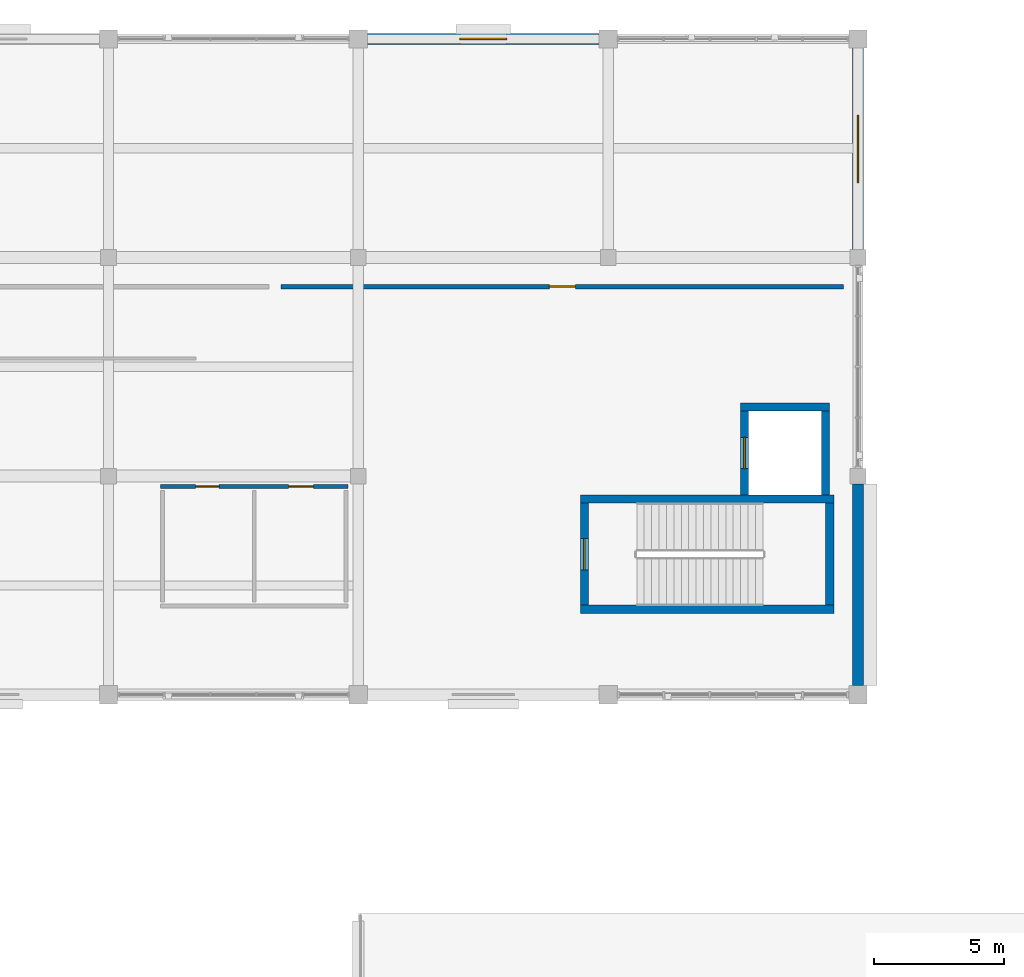
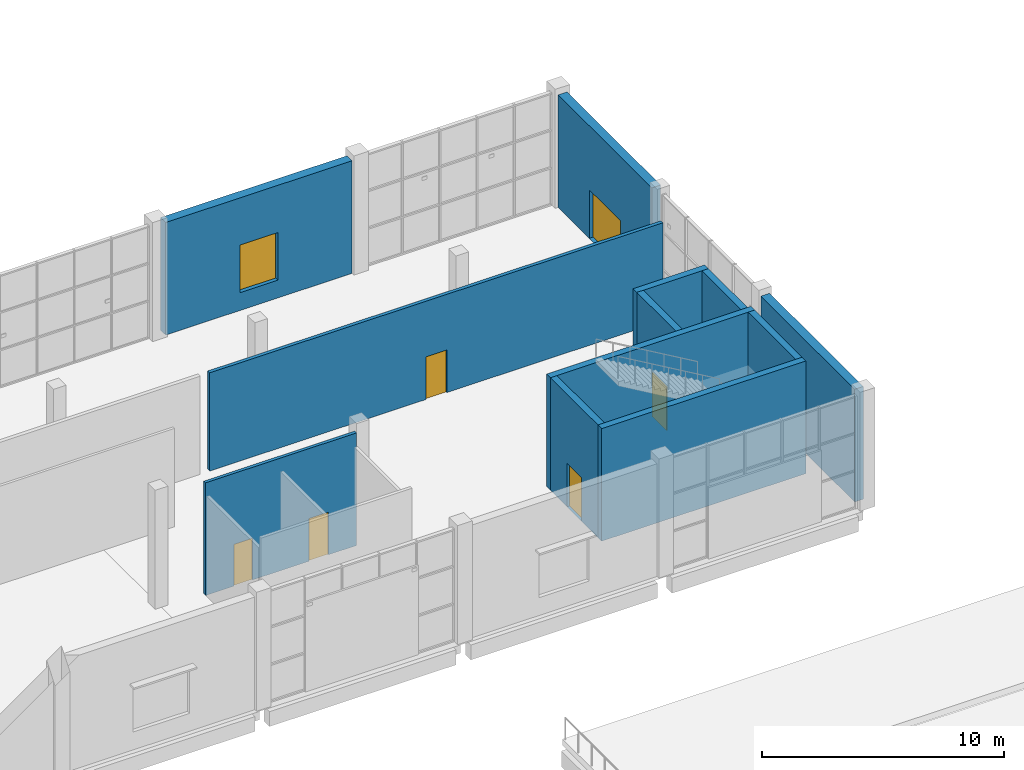
# One storey, part 58 of 84: 12 walls, 6 doors, 1 window, 7 openings.
"""IFC4 building model written with IfcOpenShell, lengths in metres."""

from ifc_helpers import new_model, si_unit, direction, frame, frame_2d, origin, place, context, subcontext, project, spatial, rectangle, extrude, material, layer, layer_set, type_object, element, fill, save


model = new_model("IFC4")

# Units and contexts
model_context = context("Model", 3, precision=1e-05, world=origin(), true_north=direction((0.0, 1.0)))
body_context = subcontext(model_context, "Body", "Model", "MODEL_VIEW")
ifc_project = project(units=[si_unit("LENGTHUNIT", "METRE"), si_unit("AREAUNIT", "SQUARE_METRE"), si_unit("VOLUMEUNIT", "CUBIC_METRE"), si_unit("PLANEANGLEUNIT", "RADIAN"), si_unit("MASSUNIT", "GRAM", prefix="KILO")], contexts=[model_context])

# Site, building, storey
site_placement = place(None, origin())
site = spatial("IfcSite", under=ifc_project, at=site_placement, CompositionType="ELEMENT")
building_placement = place(site_placement, origin())
building = spatial("IfcBuilding", under=site, at=building_placement, Name="Shalvenor Court Art Gallery", CompositionType="ELEMENT")
storey_placement = place(building_placement, origin())
storey = spatial("IfcBuildingStorey", under=building, at=storey_placement, Name="L00", CompositionType="ELEMENT", Elevation=0.0)

# Walls
ifc_material_1 = material(Name="Concrete C40/50", Category="concrete")
ifc_layer_1 = layer(ifc_material_1, 0.31005859375, Name="Concrete C40/50")
ifc_layer_set_1 = layer_set([ifc_layer_1], Name="Concrete C40/50")
wall_type_1 = type_object("IfcWallType", Name="CW-W2", PredefinedType="SHEAR", material=ifc_layer_set_1)
wall_1_placement = place(storey_placement, frame((114.1279296875, 104.717041015625, 0.0), z_axis=(0.0, 0.0, 1.0), x_axis=(1.0, 0.0, 0.0)))
element("IfcWall", 1, at=wall_1_placement, inside=storey, type_object=wall_type_1, Name="L00 C5 Stair Core Shear Wall N", PredefinedType="SHEAR", context=body_context, shape_type="SweptSolid", body=[
    extrude(rectangle(XDim=9.744140625, YDim=0.31005859375, at=frame_2d((4.8720703125, 0.0))), origin(), (0.0, 0.0, 1.0), 5.679931640625),
])
wall_2_placement = place(storey_placement, frame((123.717041015625, 104.56201171875, 0.0), z_axis=(0.0, 0.0, 1.0), x_axis=(0.0, -1.0, 0.0)))
element("IfcWall", 2, at=wall_2_placement, inside=storey, type_object=wall_type_1, Name="L00 C5 Stair Core Shear Wall E", PredefinedType="SHEAR", context=body_context, shape_type="SweptSolid", body=[
    extrude(rectangle(XDim=3.924072265625, YDim=0.31005859375, at=frame_2d((1.9619140625, 0.0))), origin(), (0.0, 0.0, 1.0), 5.679931640625),
])
wall_3_placement = place(storey_placement, frame((123.8720703125, 100.48291015625, 0.0), z_axis=(0.0, 0.0, 1.0), x_axis=(-1.0, 0.0, 0.0)))
element("IfcWall", 3, at=wall_3_placement, inside=storey, type_object=wall_type_1, Name="L00 C5 Stair Core Shear Wall S", PredefinedType="SHEAR", context=body_context, shape_type="SweptSolid", body=[
    extrude(rectangle(XDim=9.744140625, YDim=0.31005859375, at=frame_2d((4.8720703125, 0.0))), origin(), (0.0, 0.0, 1.0), 5.679931640625),
])

# Wall, opening, door
wall_4_placement = place(storey_placement, frame((114.282958984375, 100.637939453125, 0.0), z_axis=(0.0, 0.0, 1.0), x_axis=(0.0, 1.0, 0.0)))
wall_4 = element("IfcWall", 4, at=wall_4_placement, inside=storey, type_object=wall_type_1, Name="L00 C5 Stair Core Shear Wall W", PredefinedType="SHEAR", context=body_context, shape_type="SweptSolid", body=[
    extrude(rectangle(XDim=3.924072265625, YDim=0.31005859375, at=frame_2d((1.9619140625, 0.0))), origin(), (0.0, 0.0, 1.0), 5.679931640625),
])
opening_1_placement = place(wall_4_placement, frame((1.362060546875, 0.0, 0.0)))
opening_1 = element("IfcOpeningElement", 5, at=opening_1_placement, cuts=wall_4, Name="Opening FD-01", PredefinedType="OPENING", context=body_context, shape_type="SweptSolid", body=[
    extrude(rectangle(XDim=1.199951171875, YDim=2.199951171875, at=frame_2d((0.60009765625, 1.10009765625))), frame((0.0, 0.1650390625, 0.0), z_axis=(0.0, -1.0, 0.0), x_axis=(1.0, 0.0, 0.0)), (0.0, 0.0, 1.0), 0.330078125),
])
ifc_material_2 = material(Name="Fire-rated steel stair doorset", Category="steel")
door_type_1 = type_object("IfcDoorType", Name="FD-01", OperationType="NOTDEFINED", PredefinedType="DOOR", material=ifc_material_2)
door_1_placement = place(opening_1_placement, origin())
door_1 = element("IfcDoor", 6, at=door_1_placement, inside=storey, type_object=door_type_1, Name="DR-ST-L00-C5 L00 ST-05 Fire Stair Door", OperationType="SINGLE_SWING_LEFT", OverallHeight=2.199951171875, OverallWidth=1.199951171875, PredefinedType="DOOR", context=body_context, shape_type="SweptSolid", body=[
    extrude(rectangle(XDim=1.199951171875, YDim=2.199951171875, at=frame_2d((0.60009765625, 1.10009765625))), frame((0.0, 0.02490234375, 0.0), z_axis=(0.0, -1.0, 0.0), x_axis=(1.0, 0.0, 0.0)), (0.0, 0.0, 1.0), 0.050048828125),
])
fill(opening_1, door_1)

# Walls
wall_5_placement = place(storey_placement, frame((120.2900390625, 108.2548828125, 0.0), z_axis=(0.0, 0.0, 1.0), x_axis=(1.0, 0.0, 0.0)))
element("IfcWall", 7, at=wall_5_placement, inside=storey, type_object=wall_type_1, Name="L00 PL-03 Lift Shaft Wall N", PredefinedType="SHEAR", context=body_context, shape_type="SweptSolid", body=[
    extrude(rectangle(XDim=3.419921875, YDim=0.31005859375, at=frame_2d((1.7099609375, 0.0))), origin(), (0.0, 0.0, 1.0), 5.679931640625),
])
wall_6_placement = place(storey_placement, frame((123.554931640625, 108.10009765625, 0.0), z_axis=(0.0, 0.0, 1.0), x_axis=(0.0, -1.0, 0.0)))
element("IfcWall", 8, at=wall_6_placement, inside=storey, type_object=wall_type_1, Name="L00 PL-03 Lift Shaft Wall E", PredefinedType="SHEAR", context=body_context, shape_type="SweptSolid", body=[
    extrude(rectangle(XDim=3.22802734375, YDim=0.31005859375, at=frame_2d((1.614013671875, 0.0))), origin(), (0.0, 0.0, 1.0), 5.679931640625),
])

# Wall, opening, door
wall_7_placement = place(storey_placement, frame((120.445068359375, 104.8720703125, 0.0), z_axis=(0.0, 0.0, 1.0), x_axis=(0.0, 1.0, 0.0)))
wall_7 = element("IfcWall", 9, at=wall_7_placement, inside=storey, type_object=wall_type_1, Name="L00 PL-03 Lift Shaft Wall W", PredefinedType="SHEAR", context=body_context, shape_type="SweptSolid", body=[
    extrude(rectangle(XDim=3.22802734375, YDim=0.31005859375, at=frame_2d((1.614013671875, 0.0))), origin(), (0.0, 0.0, 1.0), 5.679931640625),
])
opening_2_placement = place(wall_7_placement, frame((1.013916015625, 0.0, 0.0)))
opening_2 = element("IfcOpeningElement", 10, at=opening_2_placement, cuts=wall_7, Name="Opening LD-02", PredefinedType="OPENING", context=body_context, shape_type="SweptSolid", body=[
    extrude(rectangle(XDim=1.199951171875, YDim=2.199951171875, at=frame_2d((0.60009765625, 1.10009765625))), frame((0.0, 0.1650390625, 0.0), z_axis=(0.0, -1.0, 0.0), x_axis=(1.0, 0.0, 0.0)), (0.0, 0.0, 1.0), 0.330078125),
])
ifc_material_3 = material(Name="Brushed stainless passenger lift sliding landing door", Category="steel")
door_type_2 = type_object("IfcDoorType", Name="LD-02", OperationType="NOTDEFINED", PredefinedType="DOOR", material=ifc_material_3)
door_2_placement = place(opening_2_placement, origin())
door_2 = element("IfcDoor", 11, at=door_2_placement, inside=storey, type_object=door_type_2, Name="DR-LD-L00-PL-03 L00 PL-03 Lift Landing Sliding Door", OperationType="DOUBLE_DOOR_SLIDING", OverallHeight=2.199951171875, OverallWidth=1.199951171875, PredefinedType="DOOR", context=body_context, shape_type="SweptSolid", body=[
    extrude(rectangle(XDim=1.199951171875, YDim=2.199951171875, at=frame_2d((0.60009765625, 1.10009765625))), frame((0.0, 0.02490234375, 0.0), z_axis=(0.0, -1.0, 0.0), x_axis=(1.0, 0.0, 0.0)), (0.0, 0.0, 1.0), 0.050048828125),
])
fill(opening_2, door_2)

# Wall, opening, window
ifc_material_4 = material(Name="Concrete C40/50", Category="concrete")
ifc_layer_2 = layer(ifc_material_4, 0.419921875, Name="Concrete C40/50")
ifc_layer_set_2 = layer_set([ifc_layer_2], Name="Concrete C40/50")
wall_type_2 = type_object("IfcWallType", Name="EW-02", PredefinedType="SOLIDWALL", material=ifc_layer_set_2)
wall_8_placement = place(storey_placement, frame((105.949951171875, 122.39990234375, 0.0), z_axis=(0.0, 0.0, 1.0), x_axis=(1.0, 0.0, 0.0)))
wall_8 = element("IfcWall", 12, at=wall_8_placement, inside=storey, type_object=wall_type_2, Name="L00 V2 Exterior Wall WL-L00-0123", PredefinedType="SOLIDWALL", context=body_context, shape_type="SweptSolid", body=[
    extrude(rectangle(XDim=8.900146484375, YDim=0.419921875, at=frame_2d((4.4501953125, 0.0))), origin(), (0.0, 0.0, 1.0), 5.679931640625),
])
opening_3_placement = place(wall_8_placement, frame((3.550048828125, 0.0, 0.89990234375)))
opening_3 = element("IfcOpeningElement", 13, at=opening_3_placement, cuts=wall_8, Name="Opening WN-01", PredefinedType="OPENING", context=body_context, shape_type="SweptSolid", body=[
    extrude(rectangle(XDim=1.800048828125, YDim=2.39990234375, at=frame_2d((0.89990234375, 1.199951171875))), frame((0.0, 0.219970703125, 0.0), z_axis=(0.0, -1.0, 0.0), x_axis=(1.0, 0.0, 0.0)), (0.0, 0.0, 1.0), 0.43994140625),
])
ifc_material_5 = material(Name="Low-iron solar-control double IGU", Category="glass")
window_type = type_object("IfcWindowType", Name="WN-01", PartitioningType="SINGLE_PANEL", PredefinedType="WINDOW", material=ifc_material_5)
window_placement = place(opening_3_placement, origin())
window = element("IfcWindow", 14, at=window_placement, inside=storey, type_object=window_type, Name="L00 Window WIN-L00-0023", OverallHeight=2.39990234375, OverallWidth=1.800048828125, PartitioningType="SINGLE_PANEL", PredefinedType="WINDOW", context=body_context, shape_type="SweptSolid", body=[
    extrude(rectangle(XDim=1.800048828125, YDim=2.39990234375, at=frame_2d((0.89990234375, 1.199951171875))), frame((0.0, 0.030029296875, 0.0), z_axis=(0.0, -1.0, 0.0), x_axis=(1.0, 0.0, 0.0)), (0.0, 0.0, 1.0), 0.06005859375),
])
fill(opening_3, window)

# Wall, opening, door
wall_9_placement = place(storey_placement, frame((124.800048828125, 122.050048828125, 0.0), z_axis=(0.0, 0.0, 1.0), x_axis=(0.0, -1.0, 0.0)))
wall_9 = element("IfcWall", 15, at=wall_9_placement, inside=storey, type_object=wall_type_2, Name="L00 V2 Exterior Wall WL-L00-0124", PredefinedType="SOLIDWALL", context=body_context, shape_type="SweptSolid", body=[
    extrude(rectangle(XDim=7.75, YDim=0.419921875, at=frame_2d((3.875, 0.0))), origin(), (0.0, 0.0, 1.0), 5.679931640625),
])
opening_4_placement = place(wall_9_placement, frame((2.574951171875, 0.0, 0.0)))
opening_4 = element("IfcOpeningElement", 16, at=opening_4_placement, cuts=wall_9, Name="Opening ED-05", PredefinedType="OPENING", context=body_context, shape_type="SweptSolid", body=[
    extrude(rectangle(XDim=2.60009765625, YDim=2.449951171875, at=frame_2d((1.300048828125, 1.22509765625))), frame((0.0, 0.219970703125, 0.0), z_axis=(0.0, -1.0, 0.0), x_axis=(1.0, 0.0, 0.0)), (0.0, 0.0, 1.0), 0.43994140625),
])
ifc_material_6 = material(Name="Anodised bronze glazed exit doorset", Category="aluminium")
door_type_3 = type_object("IfcDoorType", Name="ED-05", OperationType="NOTDEFINED", PredefinedType="DOOR", material=ifc_material_6)
door_3_placement = place(opening_4_placement, origin())
door_3 = element("IfcDoor", 17, at=door_3_placement, inside=storey, type_object=door_type_3, Name="DR-EX-15 L00 Pedestrian Final Exit Door", OperationType="DOUBLE_DOOR_SINGLE_SWING", OverallHeight=2.449951171875, OverallWidth=2.60009765625, PredefinedType="DOOR", context=body_context, shape_type="SweptSolid", body=[
    extrude(rectangle(XDim=2.60009765625, YDim=2.449951171875, at=frame_2d((1.300048828125, 1.22509765625))), frame((0.0, 0.02490234375, 0.0), z_axis=(0.0, -1.0, 0.0), x_axis=(1.0, 0.0, 0.0)), (0.0, 0.0, 1.0), 0.050048828125),
])
fill(opening_4, door_3)

# Wall
wall_10_placement = place(storey_placement, frame((124.800048828125, 105.300048828125, 0.0), z_axis=(0.0, 0.0, 1.0), x_axis=(0.0, -1.0, 0.0)))
element("IfcWall", 18, at=wall_10_placement, inside=storey, type_object=wall_type_2, Name="L00 V2 Exterior Wall WL-L00-0125", PredefinedType="SOLIDWALL", context=body_context, shape_type="SweptSolid", body=[
    extrude(rectangle(XDim=7.75, YDim=0.419921875, at=frame_2d((3.875, 0.0))), origin(), (0.0, 0.0, 1.0), 5.679931640625),
])

# Wall, opening, door
ifc_material_7 = material(Name="Double-stud acoustic gallery partition", Category="other")
ifc_layer_3 = layer(ifc_material_7, 0.1650390625, Name="Double-stud acoustic gallery partition")
ifc_layer_set_3 = layer_set([ifc_layer_3], Name="Double-stud acoustic gallery partition")
wall_type_3 = type_object("IfcWallType", Name="PT-02", PredefinedType="PARTITIONING", material=ifc_layer_set_3)
wall_11_placement = place(storey_placement, frame((124.25, 112.8798828125, 0.0), z_axis=(0.0, 0.0, 1.0), x_axis=(-1.0, 0.0, 0.0)))
wall_11 = element("IfcWall", 19, at=wall_11_placement, inside=storey, type_object=wall_type_3, Name="L00 Curatorial Registrar Office Partition 602", PredefinedType="PARTITIONING", context=body_context, shape_type="SweptSolid", body=[
    extrude(rectangle(XDim=21.6201171875, YDim=0.1650390625, at=frame_2d((10.81005859375, 0.0))), origin(), (0.0, 0.0, 1.0), 4.955078125),
])
opening_5_placement = place(wall_11_placement, frame((10.31005859375, 0.0, 0.0)))
opening_5 = element("IfcOpeningElement", 20, at=opening_5_placement, cuts=wall_11, Name="Opening ID-05", PredefinedType="OPENING", context=body_context, shape_type="SweptSolid", body=[
    extrude(rectangle(XDim=1.0, YDim=2.14990234375, at=frame_2d((0.5, 1.074951171875))), frame((0.0, 0.092529296875, 0.0), z_axis=(0.0, -1.0, 0.0), x_axis=(1.0, 0.0, 0.0)), (0.0, 0.0, 1.0), 0.18505859375),
])
ifc_material_8 = material(Name="Timber office single doorset", Category="wood")
door_type_4 = type_object("IfcDoorType", Name="ID-05", OperationType="NOTDEFINED", PredefinedType="DOOR", material=ifc_material_8)
door_4_placement = place(opening_5_placement, origin())
door_4 = element("IfcDoor", 21, at=door_4_placement, inside=storey, type_object=door_type_4, Name="DR-RM-L00-0133 L00 Curatorial Registrar Office Door", OperationType="SINGLE_SWING_RIGHT", OverallHeight=2.14990234375, OverallWidth=1.0, PredefinedType="DOOR", context=body_context, shape_type="SweptSolid", body=[
    extrude(rectangle(XDim=1.0, YDim=2.14990234375, at=frame_2d((0.5, 1.074951171875))), frame((0.0, 0.02490234375, 0.0), z_axis=(0.0, -1.0, 0.0), x_axis=(1.0, 0.0, 0.0)), (0.0, 0.0, 1.0), 0.050048828125),
])
fill(opening_5, door_4)

# Wall, openings, doors
ifc_material_9 = material(Name="Moisture-resistant sanitary partition", Category="other")
ifc_layer_4 = layer(ifc_material_9, 0.14990234375, Name="Moisture-resistant sanitary partition")
ifc_layer_set_4 = layer_set([ifc_layer_4], Name="Moisture-resistant sanitary partition")
wall_type_4 = type_object("IfcWallType", Name="PT-03", PredefinedType="PARTITIONING", material=ifc_layer_set_4)
wall_12_placement = place(storey_placement, frame((98.0, 105.199951171875, 0.0), z_axis=(0.0, 0.0, 1.0), x_axis=(1.0, 0.0, 0.0)))
wall_12 = element("IfcWall", 22, at=wall_12_placement, inside=storey, type_object=wall_type_4, Name="L00 C5 Restroom Front Partition", PredefinedType="PARTITIONING", context=body_context, shape_type="SweptSolid", body=[
    extrude(rectangle(XDim=7.199951171875, YDim=0.14990234375, at=frame_2d((3.60009765625, 0.0))), origin(), (0.0, 0.0, 1.0), 5.679931640625),
])
opening_6_placement = place(wall_12_placement, frame((1.35009765625, 0.0, 0.0)))
opening_6 = element("IfcOpeningElement", 23, at=opening_6_placement, cuts=wall_12, Name="Opening ID-07", PredefinedType="OPENING", context=body_context, shape_type="SweptSolid", body=[
    extrude(rectangle(XDim=0.89990234375, YDim=2.10009765625, at=frame_2d((0.449951171875, 1.050048828125))), frame((0.0, 0.0849609375, 0.0), z_axis=(0.0, -1.0, 0.0), x_axis=(1.0, 0.0, 0.0)), (0.0, 0.0, 1.0), 0.169921875),
])
opening_7_placement = place(wall_12_placement, frame((4.925048828125, 0.0, 0.0)))
opening_7 = element("IfcOpeningElement", 24, at=opening_7_placement, cuts=wall_12, Name="Opening ID-06", PredefinedType="OPENING", context=body_context, shape_type="SweptSolid", body=[
    extrude(rectangle(XDim=0.949951171875, YDim=2.14990234375, at=frame_2d((0.47509765625, 1.074951171875))), frame((0.0, 0.0849609375, 0.0), z_axis=(0.0, -1.0, 0.0), x_axis=(1.0, 0.0, 0.0)), (0.0, 0.0, 1.0), 0.169921875),
])
ifc_material_10 = material(Name="Accessible restroom doorset", Category="steel")
door_type_5 = type_object("IfcDoorType", Name="ID-06", OperationType="NOTDEFINED", PredefinedType="DOOR", material=ifc_material_10)
door_5_placement = place(opening_7_placement, origin())
door_5 = element("IfcDoor", 25, at=door_5_placement, inside=storey, type_object=door_type_5, Name="DR-AWC-L00-C5-2 L00 C5 Accessible Restroom Door", OperationType="SINGLE_SWING_LEFT", OverallHeight=2.14990234375, OverallWidth=0.949951171875, PredefinedType="DOOR", context=body_context, shape_type="SweptSolid", body=[
    extrude(rectangle(XDim=0.949951171875, YDim=2.14990234375, at=frame_2d((0.47509765625, 1.074951171875))), frame((0.0, 0.02490234375, 0.0), z_axis=(0.0, -1.0, 0.0), x_axis=(1.0, 0.0, 0.0)), (0.0, 0.0, 1.0), 0.050048828125),
])
fill(opening_7, door_5)
ifc_material_11 = material(Name="Restroom timber doorset", Category="wood")
door_type_6 = type_object("IfcDoorType", Name="ID-07", OperationType="NOTDEFINED", PredefinedType="DOOR", material=ifc_material_11)
door_6_placement = place(opening_6_placement, origin())
door_6 = element("IfcDoor", 26, at=door_6_placement, inside=storey, type_object=door_type_6, Name="DR-WC-L00-C5-1 L00 C5 Public Restroom Door", OperationType="SINGLE_SWING_RIGHT", OverallHeight=2.10009765625, OverallWidth=0.89990234375, PredefinedType="DOOR", context=body_context, shape_type="SweptSolid", body=[
    extrude(rectangle(XDim=0.89990234375, YDim=2.10009765625, at=frame_2d((0.449951171875, 1.050048828125))), frame((0.0, 0.02490234375, 0.0), z_axis=(0.0, -1.0, 0.0), x_axis=(1.0, 0.0, 0.0)), (0.0, 0.0, 1.0), 0.050048828125),
])
fill(opening_6, door_6)

save(model, "model.ifc")
